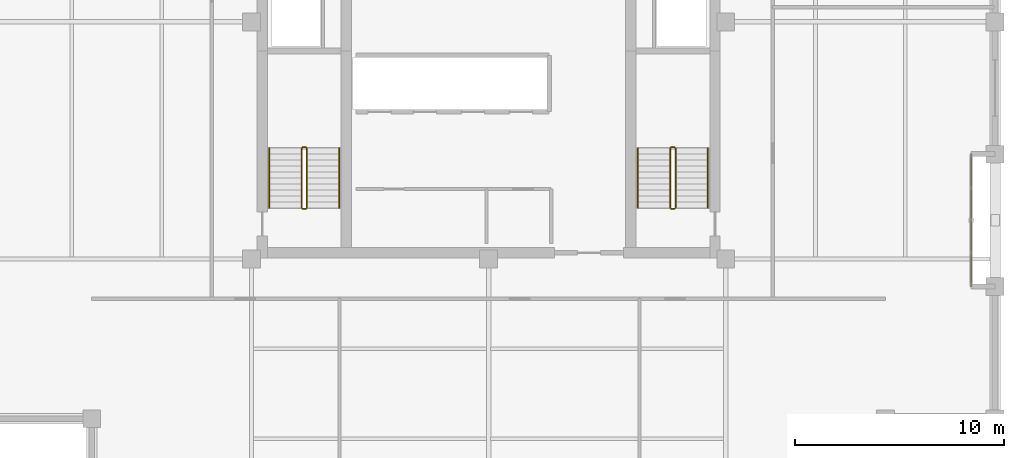
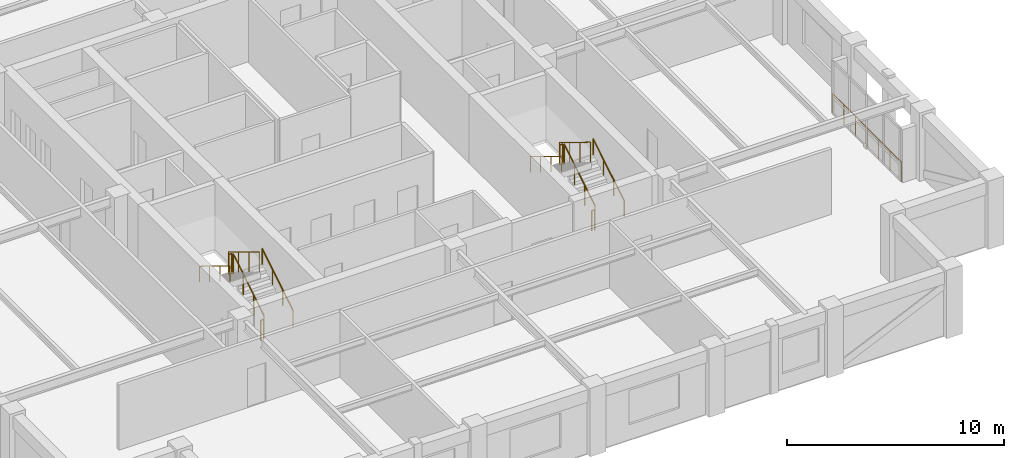
# One storey, part 8 of 8: 13 railings.
"""IFC4 building model written with IfcOpenShell, lengths in metres."""

import ifcopenshell
import ifcopenshell.guid

model = None  # the IFC model being written
_history = None  # IfcOwnerHistory: only IFC2X3 demands one
_inside = {}  # id of a spatial element -> (the spatial element, [elements in it])
_under = {}  # id of a project, library or spatial element -> (it, [spatial elements below it])
_declared = {}  # id of a project -> (the project, [libraries it declares])
_typed = {}  # id of a type object -> (the type object, [elements of that type])
_made_of = {}  # id of a material, layer set ... -> (it, [elements and type objects made of it])


def new_model(schema):
    """Start an empty IFC model of exactly this schema.

    Asked for "IFC4X3", IfcOpenShell would pick the latest addendum, in which some entities
    have other attributes; the version numbers below select the first issue.
    IFC2X3 requires an IfcOwnerHistory on every rooted entity: one is made here for all.
    """
    global model, _history
    if schema == "IFC4X3":
        model = ifcopenshell.file(schema_version=(4, 3, 0, 0))
    else:
        model = ifcopenshell.file(schema=schema)
    _inside.clear()
    _under.clear()
    _declared.clear()
    _typed.clear()
    _made_of.clear()
    _history = None
    if model.schema == "IFC2X3":
        org = make("IfcOrganization", Name="unknown")
        user = make(
            "IfcPersonAndOrganization",
            ThePerson=make("IfcPerson", FamilyName="unknown"),
            TheOrganization=org,
        )
        app = make(
            "IfcApplication",
            ApplicationDeveloper=org,
            Version="unknown",
            ApplicationFullName="unknown",
            ApplicationIdentifier="unknown",
        )
        _history = make(
            "IfcOwnerHistory",
            OwningUser=user,
            OwningApplication=app,
            ChangeAction="ADDED",
            CreationDate=0,
        )
    return model


def make(cls, **values):
    """One entity of the class cls with the attributes given. An attribute that is None is left unset."""
    return model.create_entity(
        cls, **{name: value for name, value in values.items() if value is not None}
    )


def rooted(cls, **values):
    """An entity with a GlobalId (a new one), such as an element, a storey or a relation."""
    return make(cls, GlobalId=ifcopenshell.guid.new(), OwnerHistory=_history, **values)


def si_unit(unit_type, name, prefix=None):
    """IfcSIUnit, for example si_unit("LENGTHUNIT", "METRE", prefix="MILLI")."""
    return make("IfcSIUnit", UnitType=unit_type, Prefix=prefix, Name=name)


def assignment(units):
    """IfcUnitAssignment: the units of a project."""
    return None if units is None else make("IfcUnitAssignment", Units=units)


def point(xyz):
    """IfcCartesianPoint."""
    return None if xyz is None else make("IfcCartesianPoint", Coordinates=xyz)


def direction(xyz):
    """IfcDirection."""
    return None if xyz is None else make("IfcDirection", DirectionRatios=xyz)


def frame(location, z_axis=None, x_axis=None):
    """IfcAxis2Placement3D, a coordinate frame: its origin and axes. An axis left out is left unset."""
    return make(
        "IfcAxis2Placement3D",
        Location=point(location),
        Axis=direction(z_axis),
        RefDirection=direction(x_axis),
    )


def frame_2d(location, x_axis=None):
    """IfcAxis2Placement2D, a coordinate frame in the plane: its origin and x axis."""
    return make(
        "IfcAxis2Placement2D", Location=point(location), RefDirection=direction(x_axis)
    )


def origin():
    """The frame at (0, 0, 0) with its axes left unset."""
    return frame((0.0, 0.0, 0.0))


def origin_2d():
    """The frame at (0, 0) in the plane with its x axis left unset."""
    return frame_2d((0.0, 0.0))


def place(relative_to, where):
    """IfcLocalPlacement: puts the frame where relative to a parent placement (None: the world)."""
    return make(
        "IfcLocalPlacement", PlacementRelTo=relative_to, RelativePlacement=where
    )


def context(
    kind, dimensions, precision=None, world=None, true_north=None, identifier=None
):
    """IfcGeometricRepresentationContext, for example the 3D "Model" context."""
    return make(
        "IfcGeometricRepresentationContext",
        ContextIdentifier=identifier,
        ContextType=kind,
        CoordinateSpaceDimension=dimensions,
        Precision=precision,
        WorldCoordinateSystem=world,
        TrueNorth=true_north,
    )


def subcontext(parent, identifier, kind, view, scale=None):
    """IfcGeometricRepresentationSubContext, for example "Body" below "Model"."""
    return make(
        "IfcGeometricRepresentationSubContext",
        ContextIdentifier=identifier,
        ContextType=kind,
        ParentContext=parent,
        TargetScale=scale,
        TargetView=view,
    )


def project(units=None, contexts=None):
    """IfcProject with its units and contexts."""
    return rooted(
        "IfcProject",
        Name="project",
        RepresentationContexts=contexts,
        UnitsInContext=assignment(units),
    )


def spatial(cls, under=None, at=None, **own):
    """A site, building, storey or space (cls), placed at a placement, below another one or the project."""
    s = rooted(cls, ObjectPlacement=at, **own)
    if under is not None:
        _under.setdefault(under.id(), (under, []))[1].append(s)
    return s


def profile(cls, at=None, kind="AREA", **sizes):
    """A parametric profile (cls). Its sizes go by their IFC names, for example OverallWidth=200.0."""
    return make(cls, ProfileType=kind, Position=at, **sizes)


def circle(**sizes):
    """IfcCircleProfileDef."""
    return profile("IfcCircleProfileDef", **sizes)


def extrude(swept, where, along, depth):
    """IfcExtrudedAreaSolid: the profile swept, set in the frame where, extruded along a direction by depth."""
    return make(
        "IfcExtrudedAreaSolid",
        SweptArea=swept,
        Position=where,
        ExtrudedDirection=direction(along),
        Depth=depth,
    )


def shape(context_of_items, identifier, shape_type, items):
    """IfcShapeRepresentation: the items that make up one representation, for example the "Body"."""
    return make(
        "IfcShapeRepresentation",
        ContextOfItems=context_of_items,
        RepresentationIdentifier=identifier,
        RepresentationType=shape_type,
        Items=items,
    )


def material(Name=None, Category=None):
    """IfcMaterial."""
    return make("IfcMaterial", Name=Name, Category=Category)


def made_of(thing, what):
    """Note that an element or type object is made of a material, layer set ...; save() writes the relation."""
    if what is not None:
        _made_of.setdefault(what.id(), (what, []))[1].append(thing)
    return thing


def type_object(cls, material=None, **own):
    """A type object (cls), such as IfcWallType, which elements share."""
    return made_of(rooted(cls, **own), material)


def element(
    cls,
    number,
    at=None,
    inside=None,
    cuts=None,
    type_object=None,
    material=None,
    context=None,
    identifier="Body",
    shape_type=None,
    held_by="IfcProductDefinitionShape",
    body=None,
    shapes=None,
    **own,
):
    """One element of the class cls, such as IfcWall. Its Tag is "e" and its number.

    at: its placement. inside: the storey or other place that contains it. cuts: it is an
    opening in that element (IfcRelVoidsElement). A single representation is given by context,
    identifier, shape_type and body (its items); several are given by shapes. held_by: the class
    of the entity that holds the representations. save() writes the other relations.
    """
    e = rooted(cls, Tag="e%d" % number, ObjectPlacement=at, **own)
    if body is not None:
        shapes = [shape(context, identifier, shape_type, body)]
    if shapes is not None:
        e.Representation = make(held_by, Representations=shapes)
    if inside is not None:
        _inside.setdefault(inside.id(), (inside, []))[1].append(e)
    if cuts is not None:
        rooted(
            "IfcRelVoidsElement", RelatingBuildingElement=cuts, RelatedOpeningElement=e
        )
    if type_object is not None:
        _typed.setdefault(type_object.id(), (type_object, []))[1].append(e)
    return made_of(e, material)


def aggregate(whole, parts):
    """IfcRelAggregates: a whole, such as a stair, and the parts it consists of."""
    return rooted("IfcRelAggregates", RelatingObject=whole, RelatedObjects=parts)


def save(model, path):
    """Write the relations noted so far, then the file.

    IfcRelAggregates (storeys below a building ...), IfcRelContainedInSpatialStructure (elements
    in a storey), IfcRelDefinesByType, IfcRelAssociatesMaterial and IfcRelDeclares: one each for
    every whole, place, type object, material and project.
    """
    for whole, parts in _under.values():
        aggregate(whole, parts)
    for where, things in _inside.values():
        rooted(
            "IfcRelContainedInSpatialStructure",
            RelatedElements=things,
            RelatingStructure=where,
        )
    for kind, things in _typed.values():
        rooted("IfcRelDefinesByType", RelatedObjects=things, RelatingType=kind)
    for what, things in _made_of.values():
        rooted("IfcRelAssociatesMaterial", RelatedObjects=things, RelatingMaterial=what)
    for by, libraries in _declared.values():
        rooted("IfcRelDeclares", RelatingContext=by, RelatedDefinitions=libraries)
    model.write(path)


model = new_model("IFC4")

# Units and contexts
model_context = context("Model", 3, precision=1e-05, world=origin(), true_north=direction((0.0, 1.0)))
body_context = subcontext(model_context, "Body", "Model", "MODEL_VIEW")
ifc_project = project(units=[si_unit("LENGTHUNIT", "METRE"), si_unit("AREAUNIT", "SQUARE_METRE"), si_unit("VOLUMEUNIT", "CUBIC_METRE"), si_unit("PLANEANGLEUNIT", "RADIAN"), si_unit("MASSUNIT", "GRAM", prefix="KILO")], contexts=[model_context])

# Site, building, storey
site_placement = place(None, origin())
site = spatial("IfcSite", under=ifc_project, at=site_placement, CompositionType="ELEMENT")
building_placement = place(site_placement, origin())
building = spatial("IfcBuilding", under=site, at=building_placement, Name="Nhamokura Convention Tower", CompositionType="ELEMENT")
storey_placement = place(building_placement, frame((0.0, 0.0, 240.800048828125)))
storey = spatial("IfcBuildingStorey", under=building, at=storey_placement, Name="L59", CompositionType="ELEMENT", Elevation=240.800048828125)

# Railings
ifc_material_1 = material(Name="Anodised bronze stainless steel", Category="steel")
railing_type_1 = type_object("IfcRailingType", Name="StairWallHandrail_900", PredefinedType="HANDRAIL", material=ifc_material_1)
railing_1_placement = place(storey_placement, frame((24.85009765625, 23.10009765625, 0.175048828125)))
element("IfcRailing", 1, at=railing_1_placement, inside=storey, type_object=railing_type_1, Name="L59 ST-01 stair handrail 1", PredefinedType="HANDRAIL", context=body_context, shape_type="SweptSolid", body=[
    extrude(circle(Radius=0.02392578125, at=origin_2d()), frame((0.0, 0.0, 0.8759765625), z_axis=(0.0, 0.852159232446, 0.523282564737), x_axis=(-1.0, 0.0, 0.0)), (0.0, 0.0, 1.0), 3.34423828125),
    extrude(circle(Radius=0.02099609375, at=origin_2d()), origin(), (0.0, 0.0, 1.0), 0.851806640625),
    extrude(circle(Radius=0.02099609375, at=origin_2d()), frame((0.0, 0.949951171875, 0.583251953125)), (0.0, 0.0, 1.0), 0.851806640625),
    extrude(circle(Radius=0.02099609375, at=origin_2d()), frame((0.0, 1.89990234375, 1.166748046875)), (0.0, 0.0, 1.0), 0.851806640625),
    extrude(circle(Radius=0.02099609375, at=origin_2d()), frame((0.0, 2.849853515625, 1.75)), (0.0, 0.0, 1.0), 0.851806640625),
])
railing_2_placement = place(storey_placement, frame((21.5, 25.949951171875, 2.099853515625)))
element("IfcRailing", 2, at=railing_2_placement, inside=storey, type_object=railing_type_1, Name="L59 ST-01 stair handrail 2", PredefinedType="HANDRAIL", context=body_context, shape_type="SweptSolid", body=[
    extrude(circle(Radius=0.02392578125, at=origin_2d()), frame((0.0, 0.0, 0.8759765625), z_axis=(0.0, -0.852159232446, 0.523282564737), x_axis=(1.0, 0.0, 0.0)), (0.0, 0.0, 1.0), 3.34423828125),
    extrude(circle(Radius=0.02099609375, at=origin_2d()), origin(), (0.0, 0.0, 1.0), 0.851806640625),
    extrude(circle(Radius=0.02099609375, at=origin_2d()), frame((0.0, -0.949951171875, 0.583251953125)), (0.0, 0.0, 1.0), 0.851806640625),
    extrude(circle(Radius=0.02099609375, at=origin_2d()), frame((0.0, -1.89990234375, 1.166748046875)), (0.0, 0.0, 1.0), 0.851806640625),
    extrude(circle(Radius=0.02099609375, at=origin_2d()), frame((0.0, -2.849853515625, 1.75)), (0.0, 0.0, 1.0), 0.851806640625),
])
railing_3_placement = place(storey_placement, frame((42.5, 23.10009765625, 0.175048828125)))
element("IfcRailing", 3, at=railing_3_placement, inside=storey, type_object=railing_type_1, Name="L59 ST-02 stair handrail 1", PredefinedType="HANDRAIL", context=body_context, shape_type="SweptSolid", body=[
    extrude(circle(Radius=0.02392578125, at=origin_2d()), frame((0.0, 0.0, 0.8759765625), z_axis=(0.0, 0.852159232446, 0.523282564737), x_axis=(-1.0, 0.0, 0.0)), (0.0, 0.0, 1.0), 3.34423828125),
    extrude(circle(Radius=0.02099609375, at=origin_2d()), origin(), (0.0, 0.0, 1.0), 0.851806640625),
    extrude(circle(Radius=0.02099609375, at=origin_2d()), frame((0.0, 0.949951171875, 0.583251953125)), (0.0, 0.0, 1.0), 0.851806640625),
    extrude(circle(Radius=0.02099609375, at=origin_2d()), frame((0.0, 1.89990234375, 1.166748046875)), (0.0, 0.0, 1.0), 0.851806640625),
    extrude(circle(Radius=0.02099609375, at=origin_2d()), frame((0.0, 2.849853515625, 1.75)), (0.0, 0.0, 1.0), 0.851806640625),
])
railing_4_placement = place(storey_placement, frame((39.14990234375, 25.949951171875, 2.099853515625)))
element("IfcRailing", 4, at=railing_4_placement, inside=storey, type_object=railing_type_1, Name="L59 ST-02 stair handrail 2", PredefinedType="HANDRAIL", context=body_context, shape_type="SweptSolid", body=[
    extrude(circle(Radius=0.02392578125, at=origin_2d()), frame((0.0, 0.0, 0.8759765625), z_axis=(0.0, -0.852159232446, 0.523282564737), x_axis=(1.0, 0.0, 0.0)), (0.0, 0.0, 1.0), 3.34423828125),
    extrude(circle(Radius=0.02099609375, at=origin_2d()), origin(), (0.0, 0.0, 1.0), 0.851806640625),
    extrude(circle(Radius=0.02099609375, at=origin_2d()), frame((0.0, -0.949951171875, 0.583251953125)), (0.0, 0.0, 1.0), 0.851806640625),
    extrude(circle(Radius=0.02099609375, at=origin_2d()), frame((0.0, -1.89990234375, 1.166748046875)), (0.0, 0.0, 1.0), 0.851806640625),
    extrude(circle(Radius=0.02099609375, at=origin_2d()), frame((0.0, -2.849853515625, 1.75)), (0.0, 0.0, 1.0), 0.851806640625),
])
ifc_material_2 = material(Name="Painted tubular steel", Category="steel")
railing_type_2 = type_object("IfcRailingType", Name="StairWellGuardrail_1150", PredefinedType="GUARDRAIL", material=ifc_material_2)
railing_5_placement = place(storey_placement, frame((23.300048828125, 23.10009765625, 0.175048828125)))
element("IfcRailing", 5, at=railing_5_placement, inside=storey, type_object=railing_type_2, Name="L59 ST-01 stair guard 1", PredefinedType="GUARDRAIL", context=body_context, shape_type="SweptSolid", body=[
    extrude(circle(Radius=0.02392578125, at=origin_2d()), frame((0.0, 0.0, 1.1259765625), z_axis=(0.0, 0.852159232446, 0.523282564737), x_axis=(-1.0, 0.0, 0.0)), (0.0, 0.0, 1.0), 3.34423828125),
    extrude(circle(Radius=0.02099609375, at=origin_2d()), origin(), (0.0, 0.0, 1.0), 1.101806640625),
    extrude(circle(Radius=0.02099609375, at=origin_2d()), frame((0.0, 0.949951171875, 0.583251953125)), (0.0, 0.0, 1.0), 1.101806640625),
    extrude(circle(Radius=0.02099609375, at=origin_2d()), frame((0.0, 1.89990234375, 1.166748046875)), (0.0, 0.0, 1.0), 1.101806640625),
    extrude(circle(Radius=0.02099609375, at=origin_2d()), frame((0.0, 2.849853515625, 1.75)), (0.0, 0.0, 1.0), 1.101806640625),
])
railing_6_placement = place(storey_placement, frame((23.25, 26.0, 1.925048828125)))
element("IfcRailing", 6, at=railing_6_placement, inside=storey, type_object=railing_type_2, Name="L59 ST-01 stair guard 2", PredefinedType="GUARDRAIL", context=body_context, shape_type="SweptSolid", body=[
    extrude(circle(Radius=0.02392578125, at=origin_2d()), frame((0.0, 0.0, 1.1259765625), z_axis=(-1.0, 0.0, 0.0), x_axis=(0.0, -1.0, 0.0)), (0.0, 0.0, 1.0), 0.14990234375),
    extrude(circle(Radius=0.02099609375, at=origin_2d()), origin(), (0.0, 0.0, 1.0), 1.101806640625),
    extrude(circle(Radius=0.02099609375, at=origin_2d()), frame((-0.14990234375, 0.0, 0.0)), (0.0, 0.0, 1.0), 1.101806640625),
])
railing_7_placement = place(storey_placement, frame((23.050048828125, 25.949951171875, 2.099853515625)))
element("IfcRailing", 7, at=railing_7_placement, inside=storey, type_object=railing_type_2, Name="L59 ST-01 stair guard 3", PredefinedType="GUARDRAIL", context=body_context, shape_type="SweptSolid", body=[
    extrude(circle(Radius=0.02392578125, at=origin_2d()), frame((0.0, 0.0, 1.1259765625), z_axis=(0.0, -0.852159232446, 0.523282564737), x_axis=(1.0, 0.0, 0.0)), (0.0, 0.0, 1.0), 3.34423828125),
    extrude(circle(Radius=0.02099609375, at=origin_2d()), origin(), (0.0, 0.0, 1.0), 1.101806640625),
    extrude(circle(Radius=0.02099609375, at=origin_2d()), frame((0.0, -0.949951171875, 0.583251953125)), (0.0, 0.0, 1.0), 1.101806640625),
    extrude(circle(Radius=0.02099609375, at=origin_2d()), frame((0.0, -1.89990234375, 1.166748046875)), (0.0, 0.0, 1.0), 1.101806640625),
    extrude(circle(Radius=0.02099609375, at=origin_2d()), frame((0.0, -2.849853515625, 1.75)), (0.0, 0.0, 1.0), 1.101806640625),
])
railing_8_placement = place(storey_placement, frame((23.25, 23.050048828125, 0.0)))
element("IfcRailing", 8, at=railing_8_placement, inside=storey, type_object=railing_type_2, Name="L59 ST-01 stair guard 4", PredefinedType="GUARDRAIL", context=body_context, shape_type="SweptSolid", body=[
    extrude(circle(Radius=0.02392578125, at=origin_2d()), frame((0.0, 0.0, 1.1259765625), z_axis=(-1.0, 0.0, 0.0), x_axis=(0.0, -1.0, 0.0)), (0.0, 0.0, 1.0), 0.14990234375),
    extrude(circle(Radius=0.02099609375, at=origin_2d()), origin(), (0.0, 0.0, 1.0), 1.101806640625),
    extrude(circle(Radius=0.02099609375, at=origin_2d()), frame((-0.14990234375, 0.0, 0.0)), (0.0, 0.0, 1.0), 1.101806640625),
])
railing_9_placement = place(storey_placement, frame((40.949951171875, 23.10009765625, 0.175048828125)))
element("IfcRailing", 9, at=railing_9_placement, inside=storey, type_object=railing_type_2, Name="L59 ST-02 stair guard 1", PredefinedType="GUARDRAIL", context=body_context, shape_type="SweptSolid", body=[
    extrude(circle(Radius=0.02392578125, at=origin_2d()), frame((0.0, 0.0, 1.1259765625), z_axis=(0.0, 0.852159232446, 0.523282564737), x_axis=(-1.0, 0.0, 0.0)), (0.0, 0.0, 1.0), 3.34423828125),
    extrude(circle(Radius=0.02099609375, at=origin_2d()), origin(), (0.0, 0.0, 1.0), 1.101806640625),
    extrude(circle(Radius=0.02099609375, at=origin_2d()), frame((0.0, 0.949951171875, 0.583251953125)), (0.0, 0.0, 1.0), 1.101806640625),
    extrude(circle(Radius=0.02099609375, at=origin_2d()), frame((0.0, 1.89990234375, 1.166748046875)), (0.0, 0.0, 1.0), 1.101806640625),
    extrude(circle(Radius=0.02099609375, at=origin_2d()), frame((0.0, 2.849853515625, 1.75)), (0.0, 0.0, 1.0), 1.101806640625),
])
railing_10_placement = place(storey_placement, frame((40.89990234375, 26.0, 1.925048828125)))
element("IfcRailing", 10, at=railing_10_placement, inside=storey, type_object=railing_type_2, Name="L59 ST-02 stair guard 2", PredefinedType="GUARDRAIL", context=body_context, shape_type="SweptSolid", body=[
    extrude(circle(Radius=0.02392578125, at=origin_2d()), frame((0.0, 0.0, 1.1259765625), z_axis=(-1.0, 0.0, 0.0), x_axis=(0.0, -1.0, 0.0)), (0.0, 0.0, 1.0), 0.14990234375),
    extrude(circle(Radius=0.02099609375, at=origin_2d()), origin(), (0.0, 0.0, 1.0), 1.101806640625),
    extrude(circle(Radius=0.02099609375, at=origin_2d()), frame((-0.14990234375, 0.0, 0.0)), (0.0, 0.0, 1.0), 1.101806640625),
])
railing_11_placement = place(storey_placement, frame((40.699951171875, 25.949951171875, 2.099853515625)))
element("IfcRailing", 11, at=railing_11_placement, inside=storey, type_object=railing_type_2, Name="L59 ST-02 stair guard 3", PredefinedType="GUARDRAIL", context=body_context, shape_type="SweptSolid", body=[
    extrude(circle(Radius=0.02392578125, at=origin_2d()), frame((0.0, 0.0, 1.1259765625), z_axis=(0.0, -0.852159232446, 0.523282564737), x_axis=(1.0, 0.0, 0.0)), (0.0, 0.0, 1.0), 3.34423828125),
    extrude(circle(Radius=0.02099609375, at=origin_2d()), origin(), (0.0, 0.0, 1.0), 1.101806640625),
    extrude(circle(Radius=0.02099609375, at=origin_2d()), frame((0.0, -0.949951171875, 0.583251953125)), (0.0, 0.0, 1.0), 1.101806640625),
    extrude(circle(Radius=0.02099609375, at=origin_2d()), frame((0.0, -1.89990234375, 1.166748046875)), (0.0, 0.0, 1.0), 1.101806640625),
    extrude(circle(Radius=0.02099609375, at=origin_2d()), frame((0.0, -2.849853515625, 1.75)), (0.0, 0.0, 1.0), 1.101806640625),
])
railing_12_placement = place(storey_placement, frame((40.89990234375, 23.050048828125, 0.0)))
element("IfcRailing", 12, at=railing_12_placement, inside=storey, type_object=railing_type_2, Name="L59 ST-02 stair guard 4", PredefinedType="GUARDRAIL", context=body_context, shape_type="SweptSolid", body=[
    extrude(circle(Radius=0.02392578125, at=origin_2d()), frame((0.0, 0.0, 1.1259765625), z_axis=(-1.0, 0.0, 0.0), x_axis=(0.0, -1.0, 0.0)), (0.0, 0.0, 1.0), 0.14990234375),
    extrude(circle(Radius=0.02099609375, at=origin_2d()), origin(), (0.0, 0.0, 1.0), 1.101806640625),
    extrude(circle(Radius=0.02099609375, at=origin_2d()), frame((-0.14990234375, 0.0, 0.0)), (0.0, 0.0, 1.0), 1.101806640625),
])
ifc_material_3 = material(Name="Anodised bronze stainless steel", Category="steel")
railing_type_3 = type_object("IfcRailingType", Name="TerraceGuardrail_1150", PredefinedType="GUARDRAIL", material=ifc_material_3)
railing_13_placement = place(storey_placement, frame((55.10009765625, 25.666748046875, 0.0)))
element("IfcRailing", 13, at=railing_13_placement, inside=storey, type_object=railing_type_3, Name="L59 Scale-Slot Edge Guardrail EAST 1", PredefinedType="GUARDRAIL", context=body_context, shape_type="SweptSolid", body=[
    extrude(circle(Radius=0.02392578125, at=origin_2d()), frame((0.0, 0.0, 1.1259765625), z_axis=(0.0, -1.0, 0.0), x_axis=(1.0, 0.0, 0.0)), (0.0, 0.0, 1.0), 6.33349609375),
    extrude(circle(Radius=0.02099609375, at=origin_2d()), origin(), (0.0, 0.0, 1.0), 1.101806640625),
    extrude(circle(Radius=0.02099609375, at=origin_2d()), frame((0.0, -1.0556640625, 0.0)), (0.0, 0.0, 1.0), 1.101806640625),
    extrude(circle(Radius=0.02099609375, at=origin_2d()), frame((0.0, -2.111083984375, 0.0)), (0.0, 0.0, 1.0), 1.101806640625),
    extrude(circle(Radius=0.02099609375, at=origin_2d()), frame((0.0, -3.166748046875, 0.0)), (0.0, 0.0, 1.0), 1.101806640625),
    extrude(circle(Radius=0.02099609375, at=origin_2d()), frame((0.0, -4.222412109375, 0.0)), (0.0, 0.0, 1.0), 1.101806640625),
    extrude(circle(Radius=0.02099609375, at=origin_2d()), frame((0.0, -5.27783203125, 0.0)), (0.0, 0.0, 1.0), 1.101806640625),
    extrude(circle(Radius=0.02099609375, at=origin_2d()), frame((0.0, -6.33349609375, 0.0)), (0.0, 0.0, 1.0), 1.101806640625),
])

save(model, "model.ifc")
